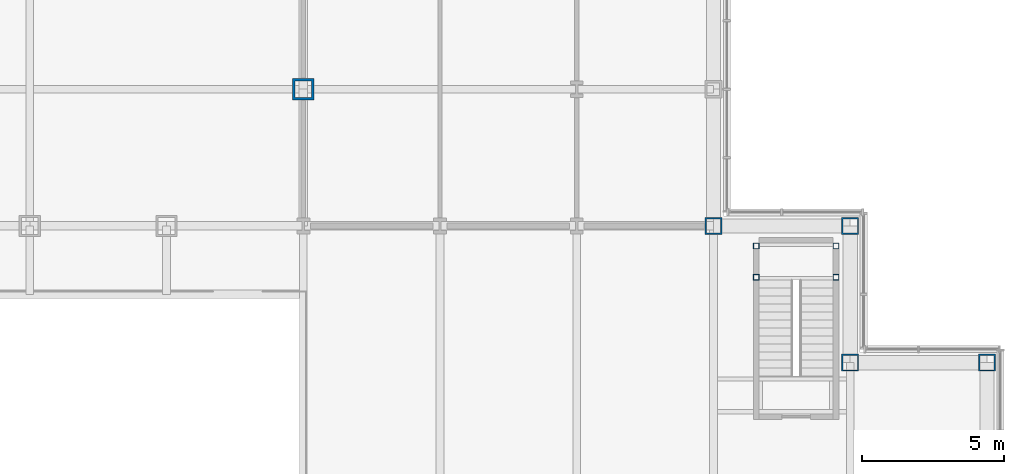
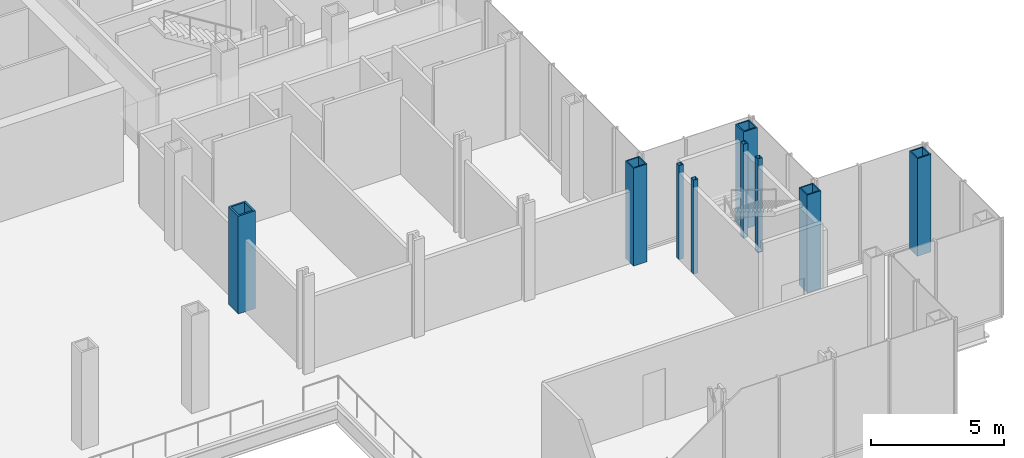
# One storey, part 5 of 25: 9 columns.
"""IFC4 building model written with IfcOpenShell, lengths in metres."""

from ifc_helpers import new_model, si_unit, direction, frame, origin, origin_2d, place, context, subcontext, project, spatial, hollow_rectangle, extrude, material, material_profile, profile_set, type_object, element, save


model = new_model("IFC4")

# Units and contexts
model_context = context("Model", 3, precision=1e-05, world=origin(), true_north=direction((0.0, 1.0)))
body_context = subcontext(model_context, "Body", "Model", "MODEL_VIEW")
ifc_project = project(units=[si_unit("LENGTHUNIT", "METRE"), si_unit("AREAUNIT", "SQUARE_METRE"), si_unit("VOLUMEUNIT", "CUBIC_METRE"), si_unit("PLANEANGLEUNIT", "RADIAN"), si_unit("MASSUNIT", "GRAM", prefix="KILO")], contexts=[model_context])

# Site, building, storey
site_placement = place(None, origin())
site = spatial("IfcSite", under=ifc_project, at=site_placement, CompositionType="ELEMENT")
building_placement = place(site_placement, origin())
building = spatial("IfcBuilding", under=site, at=building_placement, Name="Kvirike Care Tower", CompositionType="ELEMENT")
storey_placement = place(building_placement, frame((0.0, 0.0, 9.0)))
storey = spatial("IfcBuildingStorey", under=building, at=storey_placement, Name="L02", CompositionType="ELEMENT", Elevation=9.0)

# Columns
ifc_material_1 = material(Name="Steel S460", Category="steel")
ifc_material_profile_1 = material_profile(ifc_material_1, hollow_rectangle(XDim=0.60009765625, YDim=0.60009765625, WallThickness=0.050048828125, at=origin_2d()), Name="BX 600x600x50")
ifc_profile_set_1 = profile_set([ifc_material_profile_1], Name="Steel S460")
column_type_1 = type_object("IfcColumnType", Name="COLUMN BX 600x600x50", PredefinedType="COLUMN", material=ifc_profile_set_1)
for number, where, z_axis, x_axis, name in (
    (1, (43.199951171875, 14.39990234375, 0.0), (0.0, 0.0, 1.0), (0.0, 1.0, 0.0), "Column D12 L02"),
    (2, (48.0, 9.60009765625, 0.0), (0.0, 0.0, 1.0), (0.0, 1.0, 0.0), "Column C13 L02"),
    (3, (48.0, 14.39990234375, 0.0), (0.0, 0.0, 1.0), (0.0, 1.0, 0.0), "Column D13 L02"),
    (4, (52.800048828125, 9.60009765625, 0.0), (0.0, 0.0, 1.0), (0.0, 1.0, 0.0), "Column C14 L02"),
):
    element("IfcColumn", number, at=place(storey_placement, frame(where, z_axis=z_axis, x_axis=x_axis)), inside=storey, type_object=column_type_1, Name=name, PredefinedType="COLUMN", context=body_context, shape_type="SweptSolid", body=[
        extrude(hollow_rectangle(XDim=0.60009765625, YDim=0.60009765625, WallThickness=0.050048828125, at=origin_2d()), origin(), (0.0, 0.0, 1.0), 4.5),
    ])
ifc_material_2 = material(Name="Steel S460", Category="steel")
ifc_material_profile_2 = material_profile(ifc_material_2, hollow_rectangle(XDim=0.75, YDim=0.75, WallThickness=0.080078125, at=origin_2d()), Name="BX 750x750x80")
ifc_profile_set_2 = profile_set([ifc_material_profile_2], Name="Steel S460")
column_type_2 = type_object("IfcColumnType", Name="COLUMN BX 750x750x80", PredefinedType="COLUMN", material=ifc_profile_set_2)
column_placement = place(storey_placement, frame((28.800048828125, 19.199951171875, 0.0), z_axis=(0.0, 0.0, 1.0), x_axis=(1.0, 0.0, 0.0)))
element("IfcColumn", 5, at=column_placement, inside=storey, type_object=column_type_2, Name="Column E9 L02", PredefinedType="COLUMN", context=body_context, shape_type="SweptSolid", body=[
    extrude(hollow_rectangle(XDim=0.75, YDim=0.75, WallThickness=0.080078125, at=origin_2d()), origin(), (0.0, 0.0, 1.0), 4.5),
])
ifc_material_3 = material(Name="Steel S460", Category="steel")
ifc_material_profile_3 = material_profile(ifc_material_3, hollow_rectangle(XDim=0.199951171875, YDim=0.199951171875, WallThickness=0.008056640625, at=origin_2d()), Name="SHS 200x200x8")
ifc_profile_set_3 = profile_set([ifc_material_profile_3], Name="Steel S460")
column_type_3 = type_object("IfcColumnType", Name="STAIR POST SHS 200x200x8", PredefinedType="COLUMN", material=ifc_profile_set_3)
for number, where, z_axis, x_axis, name in (
    (6, (44.699951171875, 13.699951171875, 0.0), (0.0, 0.0, 1.0), (1.0, 0.0, 0.0), "Stair 4 post 1 L02"),
    (7, (47.5, 13.699951171875, 0.0), (0.0, 0.0, 1.0), (1.0, 0.0, 0.0), "Stair 4 post 2 L02"),
    (8, (44.699951171875, 12.60009765625, 0.0), (0.0, 0.0, 1.0), (1.0, 0.0, 0.0), "Stair 4 post 3 L02"),
    (9, (47.5, 12.60009765625, 0.0), (0.0, 0.0, 1.0), (1.0, 0.0, 0.0), "Stair 4 post 4 L02"),
):
    element("IfcColumn", number, at=place(storey_placement, frame(where, z_axis=z_axis, x_axis=x_axis)), inside=storey, type_object=column_type_3, Name=name, PredefinedType="COLUMN", context=body_context, shape_type="SweptSolid", body=[
        extrude(hollow_rectangle(XDim=0.199951171875, YDim=0.199951171875, WallThickness=0.008056640625, at=origin_2d()), origin(), (0.0, 0.0, 1.0), 4.330078125),
    ])

save(model, "model.ifc")
